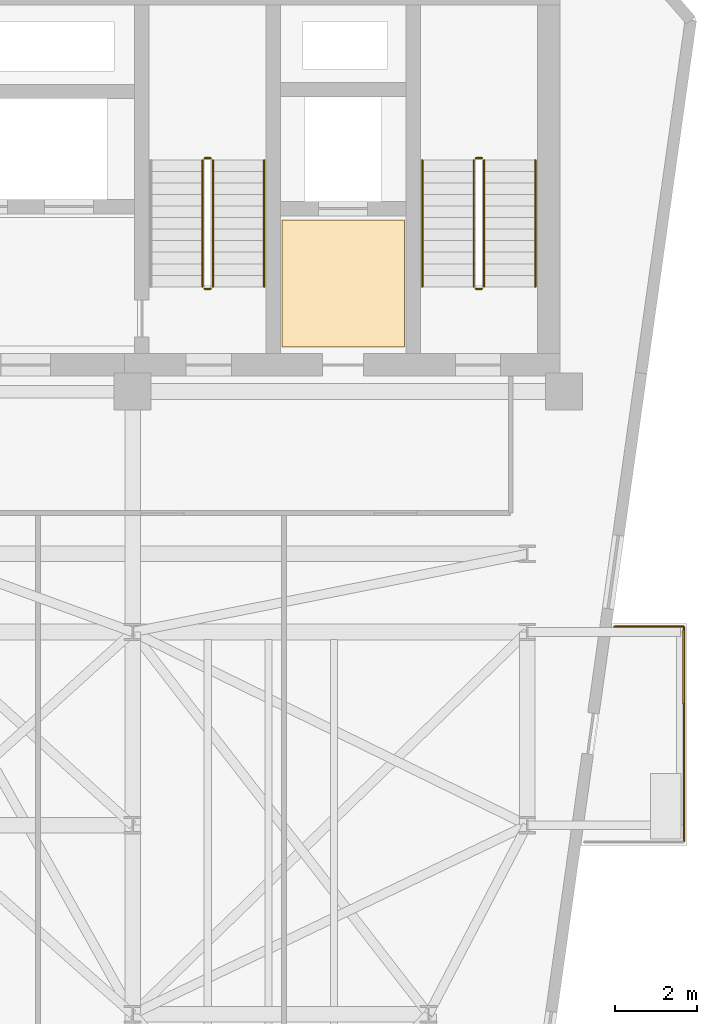
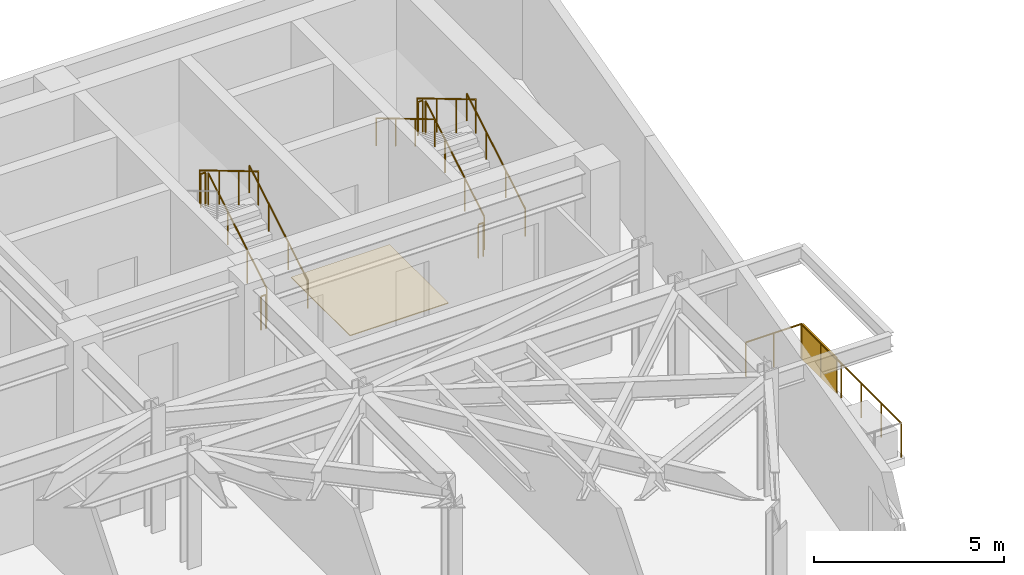
# One storey, part 21 of 21: 13 railings, 1 covering, 1 shading device.
"""IFC4 building model written with IfcOpenShell, lengths in metres."""

from ifc_helpers import new_model, si_unit, direction, frame, origin, origin_2d, place, context, subcontext, project, spatial, polyline, rectangle, circle, outline, extrude, material, layer, layer_set, type_object, element, save


model = new_model("IFC4")

# Units and contexts
model_context = context("Model", 3, precision=1e-05, world=origin(), true_north=direction((0.0, 1.0)))
body_context = subcontext(model_context, "Body", "Model", "MODEL_VIEW")
ifc_project = project(units=[si_unit("LENGTHUNIT", "METRE"), si_unit("AREAUNIT", "SQUARE_METRE"), si_unit("VOLUMEUNIT", "CUBIC_METRE"), si_unit("PLANEANGLEUNIT", "RADIAN"), si_unit("MASSUNIT", "GRAM", prefix="KILO")], contexts=[model_context])

# Site, building, storey
site_placement = place(None, origin())
site = spatial("IfcSite", under=ifc_project, at=site_placement, CompositionType="ELEMENT")
building_placement = place(site_placement, origin())
building = spatial("IfcBuilding", under=site, at=building_placement, Name="Kravanh Interchange Tower", CompositionType="ELEMENT")
storey_placement = place(building_placement, frame((0.0, 0.0, 176.5)))
storey = spatial("IfcBuildingStorey", under=building, at=storey_placement, Name="L42", CompositionType="ELEMENT", Elevation=176.5)

# Covering
ifc_material_1 = material(Name="Cementitious Terrazzo Tile")
ifc_layer_1 = layer(ifc_material_1, 0.030029296875)
ifc_layer_set_1 = layer_set([ifc_layer_1], Name="Honed Terrazzo Lobby Flooring 30mm")
covering_type = type_object("IfcCoveringType", Name="Honed Terrazzo Lobby Flooring 30mm", PredefinedType="FLOORING", material=ifc_layer_set_1)
covering_placement = place(storey_placement, origin())
element("IfcCovering", 1, at=covering_placement, inside=storey, type_object=covering_type, Name="L42 Service Lift Lobby Floor Finish", PredefinedType="FLOORING", context=body_context, shape_type="SweptSolid", body=[
    extrude(outline(polyline([(59.6298828125, 41.52001953125), (62.6201171875, 41.52001953125), (62.6201171875, 38.429931640625), (59.6298828125, 38.429931640625), (59.6298828125, 41.52001953125)])), origin(), (0.0, 0.0, 1.0), 0.030029296875),
])

# Shading device
ifc_material_2 = material(Name="Perforated Anodised Bronze Aluminium", Category="aluminium")
ifc_layer_2 = layer(ifc_material_2, 0.0400390625)
ifc_layer_set_2 = layer_set([ifc_layer_2], Name="Perforated Bronze Balcony Privacy Screen 1150mm")
shading_device_type = type_object("IfcShadingDeviceType", Name="Perforated Bronze Balcony Privacy Screen 1150mm", PredefinedType="USERDEFINED", material=ifc_layer_set_2)
shading_device_placement = place(storey_placement, frame((69.409912109375, 30.659912109375, 0.0), z_axis=(0.0, 0.0, 1.0), x_axis=(1.0, 0.0, 0.0)))
element("IfcShadingDevice", 2, at=shading_device_placement, inside=storey, type_object=shading_device_type, Name="L42 E Perforated Bronze BALCONY SCREEN", ObjectType="SCREEN", PredefinedType="USERDEFINED", context=body_context, shape_type="SweptSolid", body=[
    extrude(rectangle(XDim=0.0400390625, YDim=1.800048828125, at=origin_2d()), origin(), (0.0, 0.0, 1.0), 1.14990234375),
])

# Railings
ifc_material_3 = material(Name="Stainless Steel 316", Category="steel")
ifc_layer_3 = layer(ifc_material_3, 0.06005859375)
ifc_layer_set_3 = layer_set([ifc_layer_3], Name="Perimeter Balcony and Terrace Guardrail Stainless 316 1120mm")
railing_type_1 = type_object("IfcRailingType", Name="Perimeter Balcony and Terrace Guardrail Stainless 316 1120mm", PredefinedType="GUARDRAIL", material=ifc_layer_set_3)
railing_1_placement = place(storey_placement, frame((69.409912109375, 31.6298828125, 0.0)))
element("IfcRailing", 3, at=railing_1_placement, inside=storey, type_object=railing_type_1, Name="L42 E Balcony Guardrail 1", PredefinedType="GUARDRAIL", context=body_context, shape_type="SweptSolid", body=[
    extrude(circle(Radius=0.02392578125, at=origin_2d()), frame((0.0, 0.0, 1.09619140625), z_axis=(0.0, -1.0, 0.0), x_axis=(1.0, 0.0, 0.0)), (0.0, 0.0, 1.0), 5.239990234375),
    extrude(circle(Radius=0.02099609375, at=origin_2d()), origin(), (0.0, 0.0, 1.0), 1.072021484375),
    extrude(circle(Radius=0.02099609375, at=origin_2d()), frame((0.0, -1.048095703125, 0.0)), (0.0, 0.0, 1.0), 1.072021484375),
    extrude(circle(Radius=0.02099609375, at=origin_2d()), frame((0.0, -2.095947265625, 0.0)), (0.0, 0.0, 1.0), 1.072021484375),
    extrude(circle(Radius=0.02099609375, at=origin_2d()), frame((0.0, -3.14404296875, 0.0)), (0.0, 0.0, 1.0), 1.072021484375),
    extrude(circle(Radius=0.02099609375, at=origin_2d()), frame((0.0, -4.19189453125, 0.0)), (0.0, 0.0, 1.0), 1.072021484375),
    extrude(circle(Radius=0.02099609375, at=origin_2d()), frame((0.0, -5.239990234375, 0.0)), (0.0, 0.0, 1.0), 1.072021484375),
])
railing_2_placement = place(storey_placement, frame((67.724853515625, 31.6298828125, 0.0)))
element("IfcRailing", 4, at=railing_2_placement, inside=storey, type_object=railing_type_1, Name="L42 E Balcony Guardrail 3", PredefinedType="GUARDRAIL", context=body_context, shape_type="SweptSolid", body=[
    extrude(circle(Radius=0.02392578125, at=origin_2d()), frame((0.0, 0.0, 1.09619140625), z_axis=(1.0, 0.0, 0.0), x_axis=(0.0, 1.0, 0.0)), (0.0, 0.0, 1.0), 1.68505859375),
    extrude(circle(Radius=0.02099609375, at=origin_2d()), origin(), (0.0, 0.0, 1.0), 1.072021484375),
    extrude(circle(Radius=0.02099609375, at=origin_2d()), frame((0.842529296875, 0.0, 0.0)), (0.0, 0.0, 1.0), 1.072021484375),
    extrude(circle(Radius=0.02099609375, at=origin_2d()), frame((1.68505859375, 0.0, 0.0)), (0.0, 0.0, 1.0), 1.072021484375),
])
ifc_material_4 = material(Name="Structural Steel S355", Category="steel")
ifc_layer_4 = layer(ifc_material_4, 0.050048828125)
ifc_layer_set_4 = layer_set([ifc_layer_4], Name="Stair Well Guardrail Structural Steel S355 1100mm")
railing_type_2 = type_object("IfcRailingType", Name="Stair Well Guardrail Structural Steel S355 1100mm", PredefinedType="GUARDRAIL", material=ifc_layer_set_4)
railing_3_placement = place(storey_placement, frame((64.550048828125, 39.89990234375, 0.166748046875)))
element("IfcRailing", 5, at=railing_3_placement, inside=storey, type_object=railing_type_2, Name="L42 ST1 stair guard 1", PredefinedType="GUARDRAIL", context=body_context, shape_type="SweptSolid", body=[
    extrude(circle(Radius=0.02392578125, at=origin_2d()), frame((0.0, 0.0, 1.076171875), z_axis=(0.0, 0.859308565015, 0.511457515432), x_axis=(-1.0, 0.0, 0.0)), (0.0, 0.0, 1.0), 3.58447265625),
    extrude(circle(Radius=0.02099609375, at=origin_2d()), origin(), (0.0, 0.0, 1.0), 1.052001953125),
    extrude(circle(Radius=0.02099609375, at=origin_2d()), frame((0.0, 1.026611328125, 0.611083984375)), (0.0, 0.0, 1.0), 1.052001953125),
    extrude(circle(Radius=0.02099609375, at=origin_2d()), frame((0.0, 2.053466796875, 1.22216796875)), (0.0, 0.0, 1.0), 1.052001953125),
    extrude(circle(Radius=0.02099609375, at=origin_2d()), frame((0.0, 3.080078125, 1.833251953125)), (0.0, 0.0, 1.0), 1.052001953125),
])
railing_4_placement = place(storey_placement, frame((64.5, 43.030029296875, 2.0)))
element("IfcRailing", 6, at=railing_4_placement, inside=storey, type_object=railing_type_2, Name="L42 ST1 stair guard 2", PredefinedType="GUARDRAIL", context=body_context, shape_type="SweptSolid", body=[
    extrude(circle(Radius=0.02392578125, at=origin_2d()), frame((0.0, 0.0, 1.076171875), z_axis=(-1.0, 0.0, 0.0), x_axis=(0.0, -1.0, 0.0)), (0.0, 0.0, 1.0), 0.14990234375),
    extrude(circle(Radius=0.02099609375, at=origin_2d()), origin(), (0.0, 0.0, 1.0), 1.052001953125),
    extrude(circle(Radius=0.02099609375, at=origin_2d()), frame((-0.14990234375, 0.0, 0.0)), (0.0, 0.0, 1.0), 1.052001953125),
])
railing_5_placement = place(storey_placement, frame((64.300048828125, 42.97998046875, 2.166748046875)))
element("IfcRailing", 7, at=railing_5_placement, inside=storey, type_object=railing_type_2, Name="L42 ST1 stair guard 3", PredefinedType="GUARDRAIL", context=body_context, shape_type="SweptSolid", body=[
    extrude(circle(Radius=0.02392578125, at=origin_2d()), frame((0.0, 0.0, 1.076171875), z_axis=(0.0, -0.859308565015, 0.511457515432), x_axis=(1.0, 0.0, 0.0)), (0.0, 0.0, 1.0), 3.58447265625),
    extrude(circle(Radius=0.02099609375, at=origin_2d()), origin(), (0.0, 0.0, 1.0), 1.052001953125),
    extrude(circle(Radius=0.02099609375, at=origin_2d()), frame((0.0, -1.026611328125, 0.611083984375)), (0.0, 0.0, 1.0), 1.052001953125),
    extrude(circle(Radius=0.02099609375, at=origin_2d()), frame((0.0, -2.053466796875, 1.22216796875)), (0.0, 0.0, 1.0), 1.052001953125),
    extrude(circle(Radius=0.02099609375, at=origin_2d()), frame((0.0, -3.080078125, 1.833251953125)), (0.0, 0.0, 1.0), 1.052001953125),
])
railing_6_placement = place(storey_placement, frame((64.5, 39.85009765625, 0.0)))
element("IfcRailing", 8, at=railing_6_placement, inside=storey, type_object=railing_type_2, Name="L42 ST1 stair guard 4", PredefinedType="GUARDRAIL", context=body_context, shape_type="SweptSolid", body=[
    extrude(circle(Radius=0.02392578125, at=origin_2d()), frame((0.0, 0.0, 1.076171875), z_axis=(-1.0, 0.0, 0.0), x_axis=(0.0, -1.0, 0.0)), (0.0, 0.0, 1.0), 0.14990234375),
    extrude(circle(Radius=0.02099609375, at=origin_2d()), origin(), (0.0, 0.0, 1.0), 1.052001953125),
    extrude(circle(Radius=0.02099609375, at=origin_2d()), frame((-0.14990234375, 0.0, 0.0)), (0.0, 0.0, 1.0), 1.052001953125),
])
railing_7_placement = place(storey_placement, frame((57.949951171875, 39.89990234375, 0.166748046875)))
element("IfcRailing", 9, at=railing_7_placement, inside=storey, type_object=railing_type_2, Name="L42 ST2 stair guard 1", PredefinedType="GUARDRAIL", context=body_context, shape_type="SweptSolid", body=[
    extrude(circle(Radius=0.02392578125, at=origin_2d()), frame((0.0, 0.0, 1.076171875), z_axis=(0.0, 0.859308565015, 0.511457515432), x_axis=(-1.0, 0.0, 0.0)), (0.0, 0.0, 1.0), 3.58447265625),
    extrude(circle(Radius=0.02099609375, at=origin_2d()), origin(), (0.0, 0.0, 1.0), 1.052001953125),
    extrude(circle(Radius=0.02099609375, at=origin_2d()), frame((0.0, 1.026611328125, 0.611083984375)), (0.0, 0.0, 1.0), 1.052001953125),
    extrude(circle(Radius=0.02099609375, at=origin_2d()), frame((0.0, 2.053466796875, 1.22216796875)), (0.0, 0.0, 1.0), 1.052001953125),
    extrude(circle(Radius=0.02099609375, at=origin_2d()), frame((0.0, 3.080078125, 1.833251953125)), (0.0, 0.0, 1.0), 1.052001953125),
])
railing_8_placement = place(storey_placement, frame((57.89990234375, 43.030029296875, 2.0)))
element("IfcRailing", 10, at=railing_8_placement, inside=storey, type_object=railing_type_2, Name="L42 ST2 stair guard 2", PredefinedType="GUARDRAIL", context=body_context, shape_type="SweptSolid", body=[
    extrude(circle(Radius=0.02392578125, at=origin_2d()), frame((0.0, 0.0, 1.076171875), z_axis=(-1.0, 0.0, 0.0), x_axis=(0.0, -1.0, 0.0)), (0.0, 0.0, 1.0), 0.14990234375),
    extrude(circle(Radius=0.02099609375, at=origin_2d()), origin(), (0.0, 0.0, 1.0), 1.052001953125),
    extrude(circle(Radius=0.02099609375, at=origin_2d()), frame((-0.14990234375, 0.0, 0.0)), (0.0, 0.0, 1.0), 1.052001953125),
])
railing_9_placement = place(storey_placement, frame((57.699951171875, 42.97998046875, 2.166748046875)))
element("IfcRailing", 11, at=railing_9_placement, inside=storey, type_object=railing_type_2, Name="L42 ST2 stair guard 3", PredefinedType="GUARDRAIL", context=body_context, shape_type="SweptSolid", body=[
    extrude(circle(Radius=0.02392578125, at=origin_2d()), frame((0.0, 0.0, 1.076171875), z_axis=(0.0, -0.859308565015, 0.511457515432), x_axis=(1.0, 0.0, 0.0)), (0.0, 0.0, 1.0), 3.58447265625),
    extrude(circle(Radius=0.02099609375, at=origin_2d()), origin(), (0.0, 0.0, 1.0), 1.052001953125),
    extrude(circle(Radius=0.02099609375, at=origin_2d()), frame((0.0, -1.026611328125, 0.611083984375)), (0.0, 0.0, 1.0), 1.052001953125),
    extrude(circle(Radius=0.02099609375, at=origin_2d()), frame((0.0, -2.053466796875, 1.22216796875)), (0.0, 0.0, 1.0), 1.052001953125),
    extrude(circle(Radius=0.02099609375, at=origin_2d()), frame((0.0, -3.080078125, 1.833251953125)), (0.0, 0.0, 1.0), 1.052001953125),
])
railing_10_placement = place(storey_placement, frame((57.89990234375, 39.85009765625, 0.0)))
element("IfcRailing", 12, at=railing_10_placement, inside=storey, type_object=railing_type_2, Name="L42 ST2 stair guard 4", PredefinedType="GUARDRAIL", context=body_context, shape_type="SweptSolid", body=[
    extrude(circle(Radius=0.02392578125, at=origin_2d()), frame((0.0, 0.0, 1.076171875), z_axis=(-1.0, 0.0, 0.0), x_axis=(0.0, -1.0, 0.0)), (0.0, 0.0, 1.0), 0.14990234375),
    extrude(circle(Radius=0.02099609375, at=origin_2d()), origin(), (0.0, 0.0, 1.0), 1.052001953125),
    extrude(circle(Radius=0.02099609375, at=origin_2d()), frame((-0.14990234375, 0.0, 0.0)), (0.0, 0.0, 1.0), 1.052001953125),
])
ifc_material_5 = material(Name="Stainless Steel 304", Category="steel")
ifc_layer_5 = layer(ifc_material_5, 0.044921875)
ifc_layer_set_5 = layer_set([ifc_layer_5], Name="Tubular Stair Handrail Stainless 304 900mm")
railing_type_3 = type_object("IfcRailingType", Name="Tubular Stair Handrail Stainless 304 900mm", PredefinedType="HANDRAIL", material=ifc_layer_set_5)
railing_11_placement = place(storey_placement, frame((65.800048828125, 39.89990234375, 0.166748046875)))
element("IfcRailing", 13, at=railing_11_placement, inside=storey, type_object=railing_type_3, Name="L42 ST1 stair handrail 1", PredefinedType="HANDRAIL", context=body_context, shape_type="SweptSolid", body=[
    extrude(circle(Radius=0.02392578125, at=origin_2d()), frame((0.0, 0.0, 0.8759765625), z_axis=(0.0, 0.859308565015, 0.511457515432), x_axis=(-1.0, 0.0, 0.0)), (0.0, 0.0, 1.0), 3.58447265625),
    extrude(circle(Radius=0.02099609375, at=origin_2d()), origin(), (0.0, 0.0, 1.0), 0.851806640625),
    extrude(circle(Radius=0.02099609375, at=origin_2d()), frame((0.0, 1.026611328125, 0.611083984375)), (0.0, 0.0, 1.0), 0.851806640625),
    extrude(circle(Radius=0.02099609375, at=origin_2d()), frame((0.0, 2.053466796875, 1.22216796875)), (0.0, 0.0, 1.0), 0.851806640625),
    extrude(circle(Radius=0.02099609375, at=origin_2d()), frame((0.0, 3.080078125, 1.833251953125)), (0.0, 0.0, 1.0), 0.851806640625),
])
railing_12_placement = place(storey_placement, frame((63.050048828125, 42.97998046875, 2.166748046875)))
element("IfcRailing", 14, at=railing_12_placement, inside=storey, type_object=railing_type_3, Name="L42 ST1 stair handrail 2", PredefinedType="HANDRAIL", context=body_context, shape_type="SweptSolid", body=[
    extrude(circle(Radius=0.02392578125, at=origin_2d()), frame((0.0, 0.0, 0.8759765625), z_axis=(0.0, -0.859308565015, 0.511457515432), x_axis=(1.0, 0.0, 0.0)), (0.0, 0.0, 1.0), 3.58447265625),
    extrude(circle(Radius=0.02099609375, at=origin_2d()), origin(), (0.0, 0.0, 1.0), 0.851806640625),
    extrude(circle(Radius=0.02099609375, at=origin_2d()), frame((0.0, -1.026611328125, 0.611083984375)), (0.0, 0.0, 1.0), 0.851806640625),
    extrude(circle(Radius=0.02099609375, at=origin_2d()), frame((0.0, -2.053466796875, 1.22216796875)), (0.0, 0.0, 1.0), 0.851806640625),
    extrude(circle(Radius=0.02099609375, at=origin_2d()), frame((0.0, -3.080078125, 1.833251953125)), (0.0, 0.0, 1.0), 0.851806640625),
])
railing_13_placement = place(storey_placement, frame((59.199951171875, 39.89990234375, 0.166748046875)))
element("IfcRailing", 15, at=railing_13_placement, inside=storey, type_object=railing_type_3, Name="L42 ST2 stair handrail 1", PredefinedType="HANDRAIL", context=body_context, shape_type="SweptSolid", body=[
    extrude(circle(Radius=0.02392578125, at=origin_2d()), frame((0.0, 0.0, 0.8759765625), z_axis=(0.0, 0.859308565015, 0.511457515432), x_axis=(-1.0, 0.0, 0.0)), (0.0, 0.0, 1.0), 3.58447265625),
    extrude(circle(Radius=0.02099609375, at=origin_2d()), origin(), (0.0, 0.0, 1.0), 0.851806640625),
    extrude(circle(Radius=0.02099609375, at=origin_2d()), frame((0.0, 1.026611328125, 0.611083984375)), (0.0, 0.0, 1.0), 0.851806640625),
    extrude(circle(Radius=0.02099609375, at=origin_2d()), frame((0.0, 2.053466796875, 1.22216796875)), (0.0, 0.0, 1.0), 0.851806640625),
    extrude(circle(Radius=0.02099609375, at=origin_2d()), frame((0.0, 3.080078125, 1.833251953125)), (0.0, 0.0, 1.0), 0.851806640625),
])

save(model, "model.ifc")
